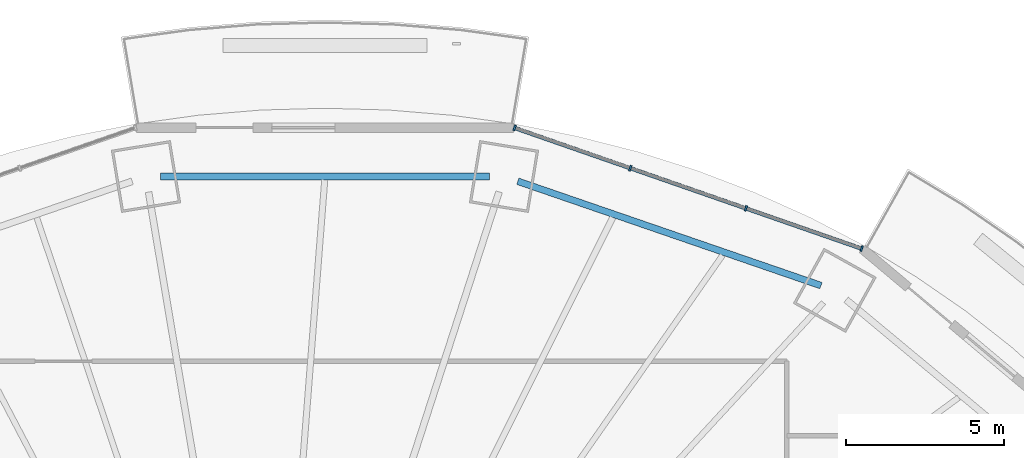
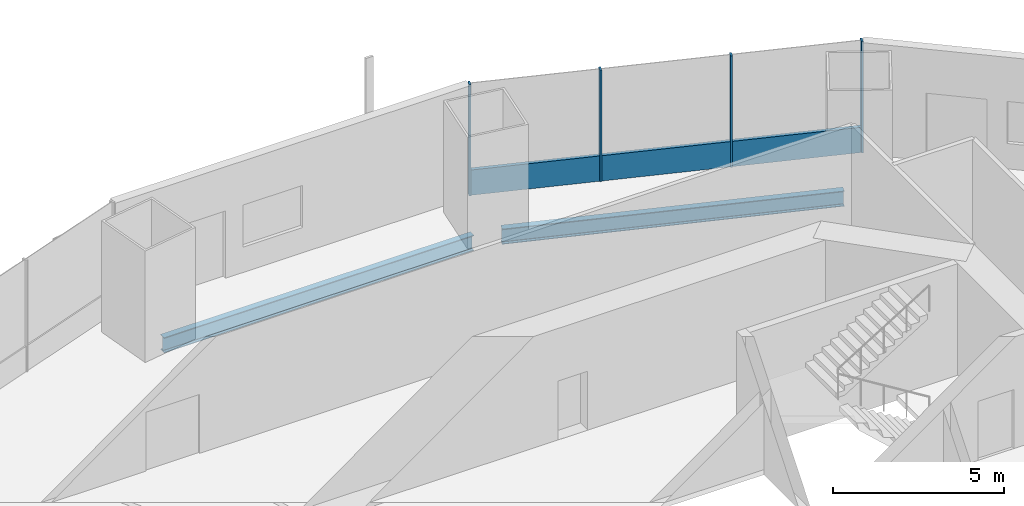
# One storey, part 8 of 19: 5 members, 2 beams, 1 element without a shape of its own.
"""IFC4 building model written with IfcOpenShell, lengths in metres."""

from ifc_helpers import new_model, si_unit, direction, frame, origin, origin_2d, place, context, subcontext, project, spatial, rectangle, i_section, extrude, material, material_profile, profile_set, type_object, element, aggregate, save


model = new_model("IFC4")

# Units and contexts
model_context = context("Model", 3, precision=1e-05, world=origin(), true_north=direction((0.0, 1.0)))
body_context = subcontext(model_context, "Body", "Model", "MODEL_VIEW")
ifc_project = project(units=[si_unit("LENGTHUNIT", "METRE"), si_unit("AREAUNIT", "SQUARE_METRE"), si_unit("VOLUMEUNIT", "CUBIC_METRE"), si_unit("PLANEANGLEUNIT", "RADIAN"), si_unit("MASSUNIT", "GRAM", prefix="KILO")], contexts=[model_context])

# Site, building, storey
site_placement = place(None, origin())
site = spatial("IfcSite", under=ifc_project, at=site_placement, CompositionType="ELEMENT")
building_placement = place(site_placement, origin())
building = spatial("IfcBuilding", under=site, at=building_placement, Name="Marenthal Gate Tower", CompositionType="ELEMENT")
storey_placement = place(building_placement, frame((0.0, 0.0, 223.300048828125)))
storey = spatial("IfcBuildingStorey", under=building, at=storey_placement, Name="L49", CompositionType="ELEMENT", Elevation=223.300048828125)

# Curtain wall, members
ifc_material_1 = material(Name="Aluminium and glass", Category="aluminium")
curtain_wall_type = type_object("IfcCurtainWallType", Name="Curtain wall typical mid", PredefinedType="NOTDEFINED", material=ifc_material_1)
curtain_wall_placement = place(storey_placement, origin())
curtain_wall = element("IfcCurtainWall", 1, at=curtain_wall_placement, inside=storey, type_object=curtain_wall_type, Name="Curtain wall L49 bay 3", PredefinedType="NOTDEFINED")
ifc_material_2 = material(Name="Aluminium", Category="aluminium")
ifc_material_profile_1 = material_profile(ifc_material_2, rectangle(XDim=0.179931640625, YDim=0.06005859375, at=origin_2d()), Name="60x180 aluminium mullion")
ifc_profile_set_1 = profile_set([ifc_material_profile_1], Name="Aluminium")
member_type_1 = type_object("IfcMemberType", Name="Mullion 60x180 typical mid", PredefinedType="MULLION", material=ifc_profile_set_1)
member_1_placement = place(storey_placement, frame((18.821044921875, 20.832763671875, 0.0), z_axis=(0.0, 0.0, 1.0), x_axis=(-0.328467970612, -0.94451510961, 0.0)))
member_1 = element("IfcMember", 2, at=member_1_placement, type_object=member_type_1, Name="Mullion L49 bay 3.1", PredefinedType="MULLION", context=body_context, shape_type="SweptSolid", body=[
    extrude(rectangle(XDim=0.179931640625, YDim=0.06005859375, at=origin_2d()), origin(), (0.0, 0.0, 1.0), 3.969970703125),
])
member_2_placement = place(storey_placement, frame((15.15234375, 22.1083984375, 0.0), z_axis=(0.0, 0.0, 1.0), x_axis=(-0.328467970612, -0.94451510961, 0.0)))
member_2 = element("IfcMember", 3, at=member_2_placement, type_object=member_type_1, Name="Mullion L49 bay 3.2", PredefinedType="MULLION", context=body_context, shape_type="SweptSolid", body=[
    extrude(rectangle(XDim=0.179931640625, YDim=0.06005859375, at=origin_2d()), origin(), (0.0, 0.0, 1.0), 3.969970703125),
])
member_3_placement = place(storey_placement, frame((11.48388671875, 23.38427734375, 0.0), z_axis=(0.0, 0.0, 1.0), x_axis=(-0.328467970612, -0.94451510961, 0.0)))
member_3 = element("IfcMember", 4, at=member_3_placement, type_object=member_type_1, Name="Mullion L49 bay 3.3", PredefinedType="MULLION", context=body_context, shape_type="SweptSolid", body=[
    extrude(rectangle(XDim=0.179931640625, YDim=0.06005859375, at=origin_2d()), origin(), (0.0, 0.0, 1.0), 3.969970703125),
])
member_4_placement = place(storey_placement, frame((7.815185546875, 24.66015625, 0.0), z_axis=(0.0, 0.0, 1.0), x_axis=(-0.328467970612, -0.94451510961, 0.0)))
member_4 = element("IfcMember", 5, at=member_4_placement, type_object=member_type_1, Name="Mullion L49 bay 3.4", PredefinedType="MULLION", context=body_context, shape_type="SweptSolid", body=[
    extrude(rectangle(XDim=0.179931640625, YDim=0.06005859375, at=origin_2d()), origin(), (0.0, 0.0, 1.0), 3.969970703125),
])
ifc_material_3 = material(Name="Aluminium", Category="aluminium")
ifc_material_profile_2 = material_profile(ifc_material_3, rectangle(XDim=0.1201171875, YDim=0.89990234375, at=origin_2d()), Name="120x900 aluminium transom")
ifc_profile_set_2 = profile_set([ifc_material_profile_2], Name="Aluminium")
member_type_2 = type_object("IfcMemberType", Name="Transom 120x900 typical mid", PredefinedType="USERDEFINED", material=ifc_profile_set_2)
member_5_placement = place(storey_placement, frame((18.792724609375, 20.842529296875, 0.449951171875), z_axis=(-0.944518387827, 0.328458543894, 0.0), x_axis=(-0.328458543894, -0.944518387827, 0.0)))
member_5 = element("IfcMember", 6, at=member_5_placement, type_object=member_type_2, Name="Transom L49 bay 3", ObjectType="TRANSOM", PredefinedType="USERDEFINED", context=body_context, shape_type="SweptSolid", body=[
    extrude(rectangle(XDim=0.1201171875, YDim=0.89990234375, at=origin_2d()), origin(), (0.0, 0.0, 1.0), 11.59228515625),
])
aggregate(curtain_wall, [member_1, member_2, member_3, member_4, member_5])

# Beams
ifc_material_4 = material(Name="Steel S355", Category="steel")
ifc_material_profile_3 = material_profile(ifc_material_4, i_section(OverallWidth=0.2119140625, OverallDepth=0.5439453125, WebThickness=0.01318359375, FlangeThickness=0.021240234375, FilletRadius=0.0126953125, at=origin_2d()), Name="W530X123")
ifc_profile_set_3 = profile_set([ifc_material_profile_3], Name="Steel S355")
beam_type = type_object("IfcBeamType", Name="W530X123 beam", PredefinedType="BEAM", material=ifc_profile_set_3)
beam_1_placement = place(storey_placement, frame((17.531982421875, 19.660400390625, -0.4521484375), z_axis=(-0.945567746604, 0.325425316443, 0.0), x_axis=(-0.325425316443, -0.945567746604, 0.0)))
element("IfcBeam", 7, at=beam_1_placement, inside=storey, type_object=beam_type, Name="BM-L49-43", PredefinedType="BEAM", context=body_context, shape_type="SweptSolid", body=[
    extrude(i_section(OverallWidth=0.2119140625, OverallDepth=0.5439453125, WebThickness=0.01318359375, FlangeThickness=0.021240234375, FilletRadius=0.0126953125, at=origin_2d()), origin(), (0.0, 0.0, 1.0), 10.16845703125),
])
beam_2_placement = place(storey_placement, frame((7.015869140625, 23.120361328125, -0.4521484375), z_axis=(-1.0, 0.0, 0.0), x_axis=(0.0, -1.0, 0.0)))
element("IfcBeam", 8, at=beam_2_placement, inside=storey, type_object=beam_type, Name="BM-L49-44", PredefinedType="BEAM", context=body_context, shape_type="SweptSolid", body=[
    extrude(i_section(OverallWidth=0.2119140625, OverallDepth=0.5439453125, WebThickness=0.01318359375, FlangeThickness=0.021240234375, FilletRadius=0.0126953125, at=origin_2d()), origin(), (0.0, 0.0, 1.0), 10.431640625),
])

save(model, "model.ifc")
